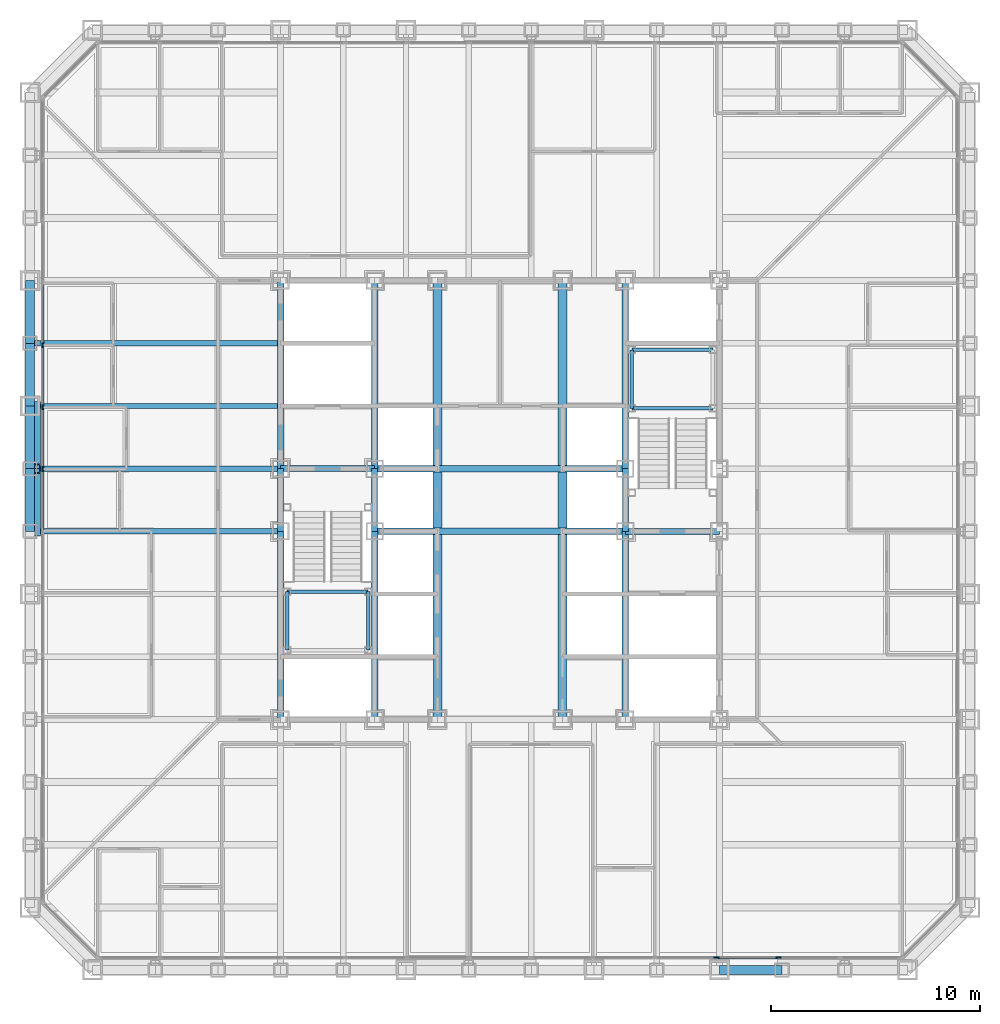
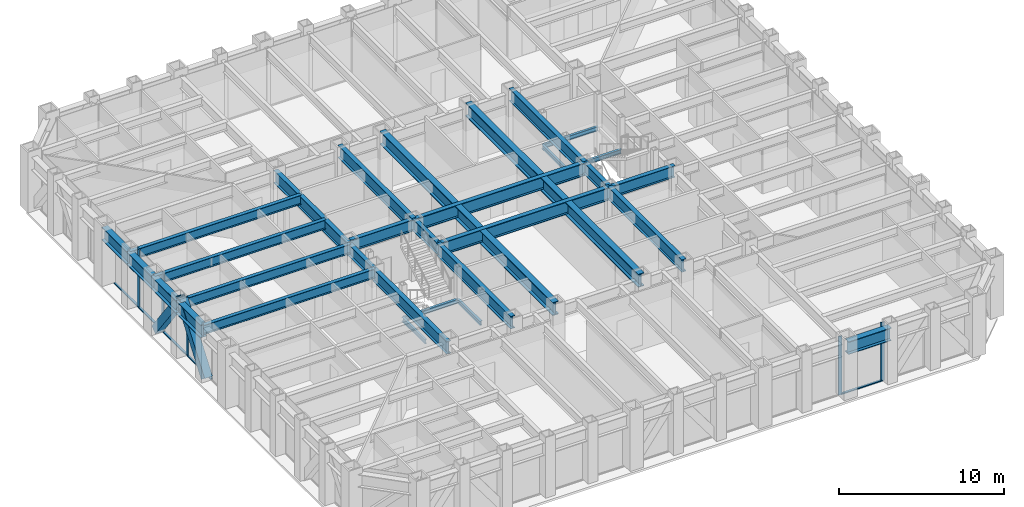
# One storey, part 3 of 17: 34 beams, 12 members, 2 elements without a shape of their own.
"""IFC4 building model written with IfcOpenShell, lengths in metres."""

from ifc_helpers import new_model, si_unit, direction, frame, origin, origin_2d, place, context, subcontext, project, spatial, rectangle, hollow_rectangle, i_section, extrude, material, layer, layer_set, material_profile, profile_set, type_object, element, aggregate, save


model = new_model("IFC4")

# Units and contexts
model_context = context("Model", 3, precision=1e-05, world=origin(), true_north=direction((0.0, 1.0)))
body_context = subcontext(model_context, "Body", "Model", "MODEL_VIEW")
ifc_project = project(units=[si_unit("LENGTHUNIT", "METRE"), si_unit("AREAUNIT", "SQUARE_METRE"), si_unit("VOLUMEUNIT", "CUBIC_METRE"), si_unit("PLANEANGLEUNIT", "RADIAN"), si_unit("MASSUNIT", "GRAM", prefix="KILO")], contexts=[model_context])

# Site, building, storey
site_placement = place(None, origin())
site = spatial("IfcSite", under=ifc_project, at=site_placement, CompositionType="ELEMENT")
building_placement = place(site_placement, origin())
building = spatial("IfcBuilding", under=site, at=building_placement, Name="Chuquiago Exchange Tower", CompositionType="ELEMENT")
storey_placement = place(building_placement, frame((0.0, 0.0, 69.300048828125)))
storey = spatial("IfcBuildingStorey", under=building, at=storey_placement, Name="L14", CompositionType="ELEMENT", Elevation=69.300048828125)

# Beams
ifc_material_1 = material(Name="Steel ASTM A992", Category="steel")
ifc_material_profile_1 = material_profile(ifc_material_1, i_section(OverallWidth=0.307373046875, OverallDepth=0.927001953125, WebThickness=0.01953125, FlangeThickness=0.031982421875, at=origin_2d()), Name="W36X194")
ifc_profile_set_1 = profile_set([ifc_material_profile_1], Name="Steel ASTM A992")
beam_type_1 = type_object("IfcBeamType", Name="B10 W36X194", PredefinedType="BEAM", material=ifc_profile_set_1)
for number, where, z_axis, x_axis, name in (
    (1, (12.0, 12.0, 3.576416015625), (0.0, 1.0, 0.0), (-1.0, 0.0, 0.0), "CB-L15-12_12-12_21"),
    (2, (12.0, 24.0, 3.576416015625), (0.0, 1.0, 0.0), (-1.0, 0.0, 0.0), "CB-L15-12_24-12_33"),
    (3, (16.5, 12.0, 3.87646484375), (0.0, 1.0, 0.0), (-1.0, 0.0, 0.0), "CB-L15-16.5_12-16.5_21"),
    (4, (16.5, 24.0, 3.87646484375), (0.0, 1.0, 0.0), (-1.0, 0.0, 0.0), "CB-L15-16.5_24-16.5_33"),
    (5, (28.5, 12.0, 3.87646484375), (0.0, 1.0, 0.0), (-1.0, 0.0, 0.0), "CB-L15-28.5_12-28.5_21"),
    (6, (28.5, 24.0, 3.87646484375), (0.0, 1.0, 0.0), (-1.0, 0.0, 0.0), "CB-L15-28.5_24-28.5_33"),
):
    element("IfcBeam", number, at=place(storey_placement, frame(where, z_axis=z_axis, x_axis=x_axis)), inside=storey, type_object=beam_type_1, Name=name, PredefinedType="BEAM", context=body_context, shape_type="SweptSolid", body=[
        extrude(i_section(OverallWidth=0.307373046875, OverallDepth=0.927001953125, WebThickness=0.01953125, FlangeThickness=0.031982421875, at=origin_2d()), origin(), (0.0, 0.0, 1.0), 9.0),
    ])
ifc_material_2 = material(Name="Steel ASTM A992", Category="steel")
ifc_material_profile_2 = material_profile(ifc_material_2, i_section(OverallWidth=0.309814453125, OverallDepth=0.949951171875, WebThickness=0.0244140625, FlangeThickness=0.0439453125, at=origin_2d()), Name="W36X256")
ifc_profile_set_2 = profile_set([ifc_material_profile_2], Name="Steel ASTM A992")
beam_type_2 = type_object("IfcBeamType", Name="B11 W36X256", PredefinedType="BEAM", material=ifc_profile_set_2)
for number, where, z_axis, x_axis, name in (
    (7, (16.5, 21.0, 3.864990234375), (1.0, 0.0, 0.0), (0.0, 1.0, 0.0), "CB-L15-16.5_21-28.5_21"),
    (8, (16.5, 24.0, 3.864990234375), (1.0, 0.0, 0.0), (0.0, 1.0, 0.0), "CB-L15-16.5_24-28.5_24"),
):
    element("IfcBeam", number, at=place(storey_placement, frame(where, z_axis=z_axis, x_axis=x_axis)), inside=storey, type_object=beam_type_2, Name=name, PredefinedType="BEAM", context=body_context, shape_type="SweptSolid", body=[
        extrude(i_section(OverallWidth=0.309814453125, OverallDepth=0.949951171875, WebThickness=0.0244140625, FlangeThickness=0.0439453125, at=origin_2d()), origin(), (0.0, 0.0, 1.0), 12.0),
    ])
ifc_material_3 = material(Name="Steel ASTM A992", Category="steel")
ifc_material_profile_3 = material_profile(ifc_material_3, i_section(OverallWidth=0.4267578125, OverallDepth=0.975341796875, WebThickness=0.031005859375, FlangeThickness=0.055908203125, at=origin_2d()), Name="W36X395")
ifc_profile_set_3 = profile_set([ifc_material_profile_3], Name="Steel ASTM A992")
beam_type_3 = type_object("IfcBeamType", Name="B12 W36X395", PredefinedType="BEAM", material=ifc_profile_set_3)
beam_1_placement = place(storey_placement, frame((19.5, 12.0, 3.852294921875), z_axis=(0.0, 1.0, 0.0), x_axis=(-1.0, 0.0, 0.0)))
element("IfcBeam", 9, at=beam_1_placement, inside=storey, type_object=beam_type_3, Name="CB-L15-19.5_12-19.5_20.8451", PredefinedType="BEAM", context=body_context, shape_type="SweptSolid", body=[
    extrude(i_section(OverallWidth=0.4267578125, OverallDepth=0.975341796875, WebThickness=0.031005859375, FlangeThickness=0.055908203125, at=origin_2d()), origin(), (0.0, 0.0, 1.0), 8.84521484375),
])
beam_2_placement = place(storey_placement, frame((19.5, 21.15478515625, 3.852294921875), z_axis=(0.0, 1.0, 0.0), x_axis=(-1.0, 0.0, 0.0)))
element("IfcBeam", 10, at=beam_2_placement, inside=storey, type_object=beam_type_3, Name="CB-L15-19.5_21.1549-19.5_23.8451", PredefinedType="BEAM", context=body_context, shape_type="SweptSolid", body=[
    extrude(i_section(OverallWidth=0.4267578125, OverallDepth=0.975341796875, WebThickness=0.031005859375, FlangeThickness=0.055908203125, at=origin_2d()), origin(), (0.0, 0.0, 1.0), 2.6904296875),
])
for number, where, z_axis, x_axis, name in (
    (11, (19.5, 24.15478515625, 3.852294921875), (0.0, 1.0, 0.0), (-1.0, 0.0, 0.0), "CB-L15-19.5_24.1549-19.5_33"),
    (12, (25.5, 12.0, 3.852294921875), (0.0, 1.0, 0.0), (-1.0, 0.0, 0.0), "CB-L15-25.5_12-25.5_20.8451"),
):
    element("IfcBeam", number, at=place(storey_placement, frame(where, z_axis=z_axis, x_axis=x_axis)), inside=storey, type_object=beam_type_3, Name=name, PredefinedType="BEAM", context=body_context, shape_type="SweptSolid", body=[
        extrude(i_section(OverallWidth=0.4267578125, OverallDepth=0.975341796875, WebThickness=0.031005859375, FlangeThickness=0.055908203125, at=origin_2d()), origin(), (0.0, 0.0, 1.0), 8.84521484375),
    ])
beam_3_placement = place(storey_placement, frame((25.5, 21.15478515625, 3.852294921875), z_axis=(0.0, 1.0, 0.0), x_axis=(-1.0, 0.0, 0.0)))
element("IfcBeam", 13, at=beam_3_placement, inside=storey, type_object=beam_type_3, Name="CB-L15-25.5_21.1549-25.5_23.8451", PredefinedType="BEAM", context=body_context, shape_type="SweptSolid", body=[
    extrude(i_section(OverallWidth=0.4267578125, OverallDepth=0.975341796875, WebThickness=0.031005859375, FlangeThickness=0.055908203125, at=origin_2d()), origin(), (0.0, 0.0, 1.0), 2.6904296875),
])
beam_4_placement = place(storey_placement, frame((25.5, 24.15478515625, 3.852294921875), z_axis=(0.0, 1.0, 0.0), x_axis=(-1.0, 0.0, 0.0)))
element("IfcBeam", 14, at=beam_4_placement, inside=storey, type_object=beam_type_3, Name="CB-L15-25.5_24.1549-25.5_33", PredefinedType="BEAM", context=body_context, shape_type="SweptSolid", body=[
    extrude(i_section(OverallWidth=0.4267578125, OverallDepth=0.975341796875, WebThickness=0.031005859375, FlangeThickness=0.055908203125, at=origin_2d()), origin(), (0.0, 0.0, 1.0), 8.84521484375),
])
ifc_material_4 = material(Name="Steel ASTM A992", Category="steel")
ifc_material_profile_4 = material_profile(ifc_material_4, i_section(OverallWidth=0.2919921875, OverallDepth=0.8583984375, WebThickness=0.01708984375, FlangeThickness=0.031005859375, at=origin_2d()), Name="W33X169")
ifc_profile_set_4 = profile_set([ifc_material_profile_4], Name="Steel ASTM A992")
beam_type_4 = type_object("IfcBeamType", Name="B3 W33X169", PredefinedType="BEAM", material=ifc_profile_set_4)
for number, where, z_axis, x_axis, name in (
    (15, (12.0, 21.0, 3.610595703125), (0.0, 1.0, 0.0), (-1.0, 0.0, 0.0), "CB-L15-12_21-12_24"),
    (16, (16.5, 21.0, 3.91064453125), (0.0, 1.0, 0.0), (-1.0, 0.0, 0.0), "CB-L15-16.5_21-16.5_24"),
    (17, (28.5, 21.0, 3.91064453125), (0.0, 1.0, 0.0), (-1.0, 0.0, 0.0), "CB-L15-28.5_21-28.5_24"),
):
    element("IfcBeam", number, at=place(storey_placement, frame(where, z_axis=z_axis, x_axis=x_axis)), inside=storey, type_object=beam_type_4, Name=name, PredefinedType="BEAM", context=body_context, shape_type="SweptSolid", body=[
        extrude(i_section(OverallWidth=0.2919921875, OverallDepth=0.8583984375, WebThickness=0.01708984375, FlangeThickness=0.031005859375, at=origin_2d()), origin(), (0.0, 0.0, 1.0), 3.0),
    ])
for number, where, z_axis, x_axis, name in (
    (18, (28.5, 21.0, 3.91064453125), (1.0, 0.0, 0.0), (0.0, 1.0, 0.0), "CB-L15-28.5_21-33_21"),
    (19, (12.0, 24.0, 3.91064453125), (1.0, 0.0, 0.0), (0.0, 1.0, 0.0), "CB-L15-12_24-16.5_24"),
):
    element("IfcBeam", number, at=place(storey_placement, frame(where, z_axis=z_axis, x_axis=x_axis)), inside=storey, type_object=beam_type_4, Name=name, PredefinedType="BEAM", context=body_context, shape_type="SweptSolid", body=[
        extrude(i_section(OverallWidth=0.2919921875, OverallDepth=0.8583984375, WebThickness=0.01708984375, FlangeThickness=0.031005859375, at=origin_2d()), origin(), (0.0, 0.0, 1.0), 4.5),
    ])
ifc_material_5 = material(Name="Steel ASTM A992", Category="steel")
ifc_material_profile_5 = material_profile(ifc_material_5, i_section(OverallWidth=0.256591796875, OverallDepth=0.693359375, WebThickness=0.014404296875, FlangeThickness=0.023681640625, at=origin_2d()), Name="W27X114")
ifc_profile_set_5 = profile_set([ifc_material_profile_5], Name="Steel ASTM A992")
beam_type_5 = type_object("IfcBeamType", Name="B4 W27X114", PredefinedType="BEAM", material=ifc_profile_set_5)
for number, where, z_axis, x_axis, name in (
    (20, (12.0, 21.0, 3.693359375), (-1.0, 0.0, 0.0), (0.0, -1.0, 0.0), "FB-L15-infill-12_21--0_21-0"),
    (21, (12.0, 24.0, 3.693359375), (-1.0, 0.0, 0.0), (0.0, -1.0, 0.0), "FB-L15-infill-12_24--0_24-0"),
    (22, (12.0, 27.0, 3.693359375), (-1.0, 0.0, 0.0), (0.0, -1.0, 0.0), "FB-L15-infill-12_27--0_27-0"),
    (23, (12.0, 30.0, 3.693359375), (-1.0, 0.0, 0.0), (0.0, -1.0, 0.0), "FB-L15-infill-12_30--0_30-0"),
):
    element("IfcBeam", number, at=place(storey_placement, frame(where, z_axis=z_axis, x_axis=x_axis)), inside=storey, type_object=beam_type_5, Name=name, PredefinedType="BEAM", context=body_context, shape_type="SweptSolid", body=[
        extrude(i_section(OverallWidth=0.256591796875, OverallDepth=0.693359375, WebThickness=0.014404296875, FlangeThickness=0.023681640625, at=origin_2d()), origin(), (0.0, 0.0, 1.0), 12.0),
    ])

# Curtain wall, members
ifc_material_6 = material(Name="Aluminium curtain wall system", Category="aluminium")
ifc_layer = layer(ifc_material_6, 0.25)
ifc_layer_set = layer_set([ifc_layer], Name="CW1 trading floor curtain wall")
curtain_wall_type = type_object("IfcCurtainWallType", Name="CW1 trading floor curtain wall", PredefinedType="NOTDEFINED", material=ifc_layer_set)
curtain_wall_1_placement = place(storey_placement, origin())
curtain_wall_1 = element("IfcCurtainWall", 24, at=curtain_wall_1_placement, inside=storey, type_object=curtain_wall_type, Name="CW1 curtain wall L14", PredefinedType="NOTDEFINED")
ifc_material_7 = material(Name="Aluminium mullion, pale anodised", Category="aluminium")
ifc_material_profile_6 = material_profile(ifc_material_7, rectangle(XDim=0.074951171875, YDim=0.25, at=origin_2d()), Name="AL 75x250")
ifc_profile_set_6 = profile_set([ifc_material_profile_6], Name="Aluminium mullion, pale anodised")
member_type_1 = type_object("IfcMemberType", Name="CW1-M mullion 75x250", PredefinedType="MULLION", material=ifc_profile_set_6)
member_1_placement = place(storey_placement, frame((32.8662109375, 0.60009765625, -0.300048828125), z_axis=(0.0, 0.0, 1.0), x_axis=(0.0, 1.0, 0.0)))
member_1 = element("IfcMember", 25, at=member_1_placement, type_object=member_type_1, Name="CW1 mullion 11", PredefinedType="MULLION", context=body_context, shape_type="SweptSolid", body=[
    extrude(rectangle(XDim=0.074951171875, YDim=0.25, at=origin_2d()), origin(), (0.0, 0.0, 1.0), 4.340087890625),
])
member_2_placement = place(storey_placement, frame((35.827880859375, 0.60009765625, -0.300048828125), z_axis=(0.0, 0.0, 1.0), x_axis=(0.0, 1.0, 0.0)))
member_2 = element("IfcMember", 26, at=member_2_placement, type_object=member_type_1, Name="CW1 mullion 12", PredefinedType="MULLION", context=body_context, shape_type="SweptSolid", body=[
    extrude(rectangle(XDim=0.074951171875, YDim=0.25, at=origin_2d()), origin(), (0.0, 0.0, 1.0), 4.340087890625),
])

curtain_wall_2_placement = place(storey_placement, origin())
curtain_wall_2 = element("IfcCurtainWall", 27, at=curtain_wall_2_placement, inside=storey, type_object=curtain_wall_type, Name="CW1 curtain wall L14", PredefinedType="NOTDEFINED")
member_3_placement = place(storey_placement, frame((0.60009765625, 29.904541015625, -0.300048828125), z_axis=(0.0, 0.0, 1.0), x_axis=(1.0, 0.0, 0.0)))
member_3 = element("IfcMember", 28, at=member_3_placement, type_object=member_type_1, Name="CW1 mullion 5", PredefinedType="MULLION", context=body_context, shape_type="SweptSolid", body=[
    extrude(rectangle(XDim=0.074951171875, YDim=0.25, at=origin_2d()), origin(), (0.0, 0.0, 1.0), 4.340087890625),
])
member_4_placement = place(storey_placement, frame((0.60009765625, 26.942626953125, -0.300048828125), z_axis=(0.0, 0.0, 1.0), x_axis=(1.0, 0.0, 0.0)))
member_4 = element("IfcMember", 29, at=member_4_placement, type_object=member_type_1, Name="CW1 mullion 6", PredefinedType="MULLION", context=body_context, shape_type="SweptSolid", body=[
    extrude(rectangle(XDim=0.074951171875, YDim=0.25, at=origin_2d()), origin(), (0.0, 0.0, 1.0), 4.340087890625),
])
member_5_placement = place(storey_placement, frame((0.60009765625, 23.98095703125, -0.300048828125), z_axis=(0.0, 0.0, 1.0), x_axis=(1.0, 0.0, 0.0)))
member_5 = element("IfcMember", 30, at=member_5_placement, type_object=member_type_1, Name="CW1 mullion 7", PredefinedType="MULLION", context=body_context, shape_type="SweptSolid", body=[
    extrude(rectangle(XDim=0.074951171875, YDim=0.25, at=origin_2d()), origin(), (0.0, 0.0, 1.0), 4.340087890625),
])

# Member
ifc_material_8 = material(Name="Aluminium transom, pale anodised", Category="aluminium")
ifc_material_profile_7 = material_profile(ifc_material_8, rectangle(XDim=0.14990234375, YDim=0.074951171875, at=origin_2d()), Name="AL 150x75")
ifc_profile_set_7 = profile_set([ifc_material_profile_7], Name="Aluminium transom, pale anodised")
member_type_2 = type_object("IfcMemberType", Name="CW1-T transom 75x150", PredefinedType="MULLION", material=ifc_profile_set_7)
member_6_placement = place(storey_placement, frame((32.90380859375, 0.60009765625, -0.262451171875), z_axis=(1.0, 0.0, 0.0), x_axis=(0.0, 1.0, 0.0)))
member_6 = element("IfcMember", 31, at=member_6_placement, type_object=member_type_2, Name="CW1 transom 11.1", PredefinedType="MULLION", context=body_context, shape_type="SweptSolid", body=[
    extrude(rectangle(XDim=0.14990234375, YDim=0.074951171875, at=origin_2d()), origin(), (0.0, 0.0, 1.0), 2.88671875),
])

aggregate(curtain_wall_1, [member_1, member_2, member_6])

member_7_placement = place(storey_placement, frame((0.60009765625, 32.82861328125, -0.262451171875), z_axis=(0.0, -1.0, 0.0), x_axis=(1.0, 0.0, 0.0)))
member_7 = element("IfcMember", 32, at=member_7_placement, type_object=member_type_2, Name="CW1 transom 4.1", PredefinedType="MULLION", context=body_context, shape_type="SweptSolid", body=[
    extrude(rectangle(XDim=0.14990234375, YDim=0.074951171875, at=origin_2d()), origin(), (0.0, 0.0, 1.0), 2.88671875),
])

member_8_placement = place(storey_placement, frame((0.60009765625, 29.866943359375, -0.262451171875), z_axis=(0.0, -1.0, 0.0), x_axis=(1.0, 0.0, 0.0)))
member_8 = element("IfcMember", 33, at=member_8_placement, type_object=member_type_2, Name="CW1 transom 5.1", PredefinedType="MULLION", context=body_context, shape_type="SweptSolid", body=[
    extrude(rectangle(XDim=0.14990234375, YDim=0.074951171875, at=origin_2d()), origin(), (0.0, 0.0, 1.0), 2.88671875),
])

member_9_placement = place(storey_placement, frame((0.60009765625, 26.9052734375, -0.262451171875), z_axis=(0.0, -1.0, 0.0), x_axis=(1.0, 0.0, 0.0)))
member_9 = element("IfcMember", 34, at=member_9_placement, type_object=member_type_2, Name="CW1 transom 6.1", PredefinedType="MULLION", context=body_context, shape_type="SweptSolid", body=[
    extrude(rectangle(XDim=0.14990234375, YDim=0.074951171875, at=origin_2d()), origin(), (0.0, 0.0, 1.0), 2.886962890625),
])

member_10_placement = place(storey_placement, frame((0.60009765625, 23.943359375, -0.262451171875), z_axis=(0.0, -1.0, 0.0), x_axis=(1.0, 0.0, 0.0)))
member_10 = element("IfcMember", 35, at=member_10_placement, type_object=member_type_2, Name="CW1 transom 7.1", PredefinedType="MULLION", context=body_context, shape_type="SweptSolid", body=[
    extrude(rectangle(XDim=0.14990234375, YDim=0.074951171875, at=origin_2d()), origin(), (0.0, 0.0, 1.0), 2.88671875),
])

aggregate(curtain_wall_2, [member_3, member_4, member_5, member_7, member_8, member_9, member_10])

# Beams
ifc_material_9 = material(Name="Steel ASTM A992", Category="steel")
ifc_material_profile_8 = material_profile(ifc_material_9, i_section(OverallWidth=0.164794921875, OverallDepth=0.309814453125, WebThickness=0.005859375, FlangeThickness=0.009765625, at=origin_2d()), Name="W12X26")
ifc_profile_set_8 = profile_set([ifc_material_profile_8], Name="Steel ASTM A992")
beam_type_6 = type_object("IfcBeamType", Name="LS1 W12X26", PredefinedType="BEAM", material=ifc_profile_set_8)
for number, where, z_axis, x_axis, name in (
    (36, (12.31005859375, 15.31005859375, 1.89501953125), (0.0, 1.0, 0.0), (-1.0, 0.0, 0.0), "Stair ST1 L14 landing 1 stringer"),
    (37, (16.18994140625, 15.31005859375, 1.89501953125), (0.0, 1.0, 0.0), (-1.0, 0.0, 0.0), "Stair ST1 L14 landing 1 stringer"),
    (38, (28.81005859375, 26.889892578125, 1.89501953125), (0.0, 1.0, 0.0), (-1.0, 0.0, 0.0), "Stair ST2 L14 landing 1 stringer"),
):
    element("IfcBeam", number, at=place(storey_placement, frame(where, z_axis=z_axis, x_axis=x_axis)), inside=storey, type_object=beam_type_6, Name=name, PredefinedType="BEAM", context=body_context, shape_type="SweptSolid", body=[
        extrude(i_section(OverallWidth=0.164794921875, OverallDepth=0.309814453125, WebThickness=0.005859375, FlangeThickness=0.009765625, at=origin_2d()), origin(), (0.0, 0.0, 1.0), 2.800048828125),
    ])
ifc_material_10 = material(Name="Steel ASTM A992", Category="steel")
ifc_material_profile_9 = material_profile(ifc_material_10, i_section(OverallWidth=0.164794921875, OverallDepth=0.309814453125, WebThickness=0.005859375, FlangeThickness=0.009765625, at=origin_2d()), Name="W12X26")
ifc_profile_set_9 = profile_set([ifc_material_profile_9], Name="Steel ASTM A992")
beam_type_7 = type_object("IfcBeamType", Name="LT1 W12X26", PredefinedType="BEAM", material=ifc_profile_set_9)
for number, where, z_axis, x_axis, name in (
    (39, (12.31005859375, 18.110107421875, 1.89501953125), (1.0, 0.0, 0.0), (0.0, 1.0, 0.0), "Stair ST1 L14 landing 1 trimmer"),
    (40, (28.81005859375, 29.68994140625, 1.89501953125), (1.0, 0.0, 0.0), (0.0, 1.0, 0.0), "Stair ST2 L14 landing 1 trimmer"),
    (41, (28.81005859375, 26.889892578125, 1.89501953125), (1.0, 0.0, 0.0), (0.0, 1.0, 0.0), "Stair ST2 L14 landing 1 trimmer"),
):
    element("IfcBeam", number, at=place(storey_placement, frame(where, z_axis=z_axis, x_axis=x_axis)), inside=storey, type_object=beam_type_7, Name=name, PredefinedType="BEAM", context=body_context, shape_type="SweptSolid", body=[
        extrude(i_section(OverallWidth=0.164794921875, OverallDepth=0.309814453125, WebThickness=0.005859375, FlangeThickness=0.009765625, at=origin_2d()), origin(), (0.0, 0.0, 1.0), 3.8798828125),
    ])

# Members
ifc_material_11 = material(Name="Steel ASTM A572 Grade 50", Category="steel")
ifc_material_profile_10 = material_profile(ifc_material_11, hollow_rectangle(XDim=0.550048828125, YDim=0.550048828125, WallThickness=0.044921875, at=origin_2d()), Name="BOX550X550X45")
ifc_profile_set_10 = profile_set([ifc_material_profile_10], Name="Steel ASTM A572 Grade 50")
member_type_3 = type_object("IfcMemberType", Name="MB1 BOX550X550X45", PredefinedType="BRACE", material=ifc_profile_set_10)
for number, where, z_axis, x_axis, name in (
    (42, (0.22998046875, 27.0, 0.0), (0.0, -0.596173923302, 0.802855312728), (1.0, 0.0, 0.0), "Mega diagonal L14 W face"),
    (43, (0.22998046875, 21.0, 0.0), (0.0, 0.596173923302, 0.802855312728), (-1.0, 0.0, 0.0), "Mega diagonal L14 W face"),
):
    element("IfcMember", number, at=place(storey_placement, frame(where, z_axis=z_axis, x_axis=x_axis)), inside=storey, type_object=member_type_3, Name=name, PredefinedType="BRACE", context=body_context, shape_type="SweptSolid", body=[
        extrude(hollow_rectangle(XDim=0.550048828125, YDim=0.550048828125, WallThickness=0.044921875, at=origin_2d()), origin(), (0.0, 0.0, 1.0), 5.031982421875),
    ])

# Beams
ifc_material_12 = material(Name="Steel ASTM A992", Category="steel")
ifc_material_profile_11 = material_profile(ifc_material_12, i_section(OverallWidth=0.424072265625, OverallDepth=0.947509765625, WebThickness=0.02392578125, FlangeThickness=0.042724609375, at=origin_2d()), Name="W36X302")
ifc_profile_set_11 = profile_set([ifc_material_profile_11], Name="Steel ASTM A992")
beam_type_8 = type_object("IfcBeamType", Name="SP1 W36X302", PredefinedType="SPANDREL", material=ifc_profile_set_11)
for number, where, z_axis, x_axis, name in (
    (44, (33.0, 0.0, 3.566162109375), (1.0, 0.0, 0.0), (0.0, 1.0, 0.0), "SPB-L15-33_0-36_0"),
    (45, (0.0, 33.0, 3.566162109375), (0.0, -1.0, 0.0), (1.0, 0.0, 0.0), "SPB-L15-0_33-0_30"),
    (46, (0.0, 30.0, 3.566162109375), (0.0, -1.0, 0.0), (1.0, 0.0, 0.0), "SPB-L15-0_30-0_27"),
    (47, (0.0, 27.0, 3.566162109375), (0.0, -1.0, 0.0), (1.0, 0.0, 0.0), "SPB-L15-0_27-0_24"),
    (48, (0.0, 24.0, 3.566162109375), (0.0, -1.0, 0.0), (1.0, 0.0, 0.0), "SPB-L15-0_24-0_21"),
):
    element("IfcBeam", number, at=place(storey_placement, frame(where, z_axis=z_axis, x_axis=x_axis)), inside=storey, type_object=beam_type_8, Name=name, PredefinedType="SPANDREL", context=body_context, shape_type="SweptSolid", body=[
        extrude(i_section(OverallWidth=0.424072265625, OverallDepth=0.947509765625, WebThickness=0.02392578125, FlangeThickness=0.042724609375, at=origin_2d()), origin(), (0.0, 0.0, 1.0), 3.0),
    ])

save(model, "model.ifc")
